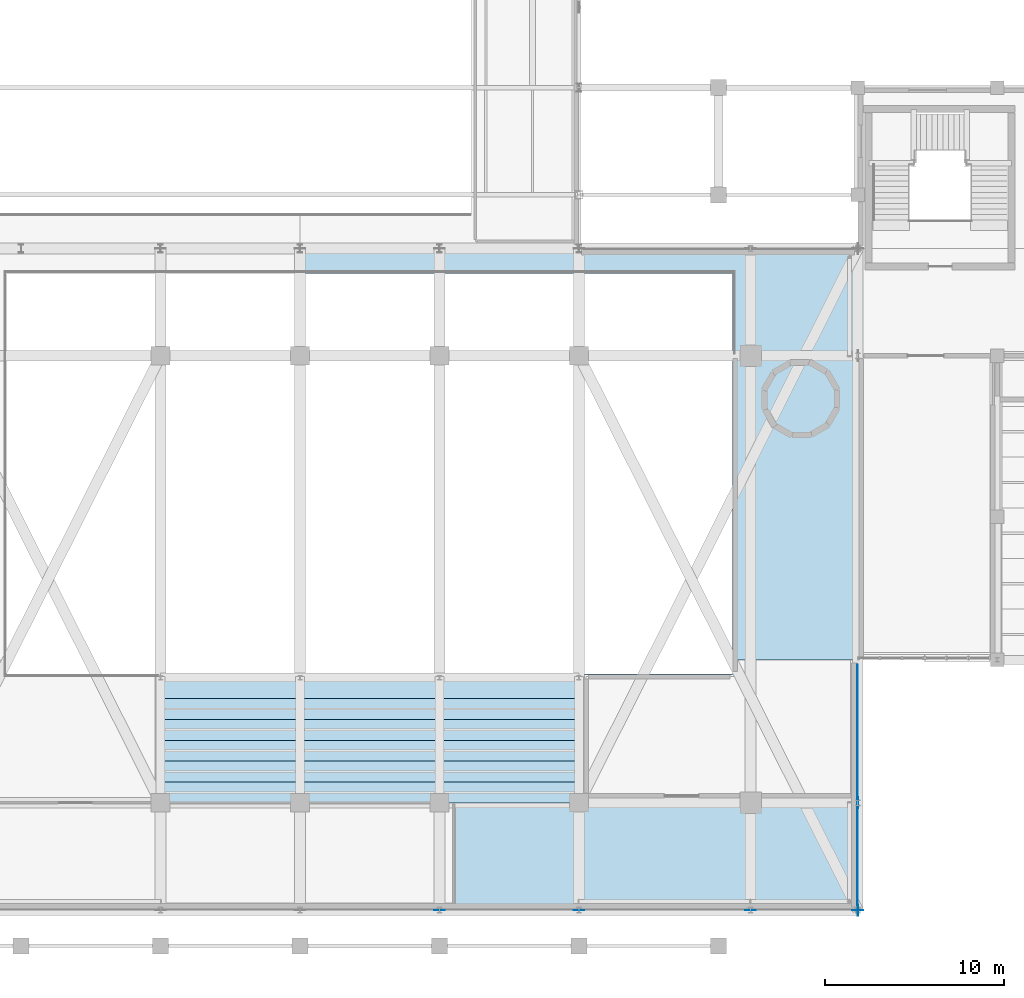
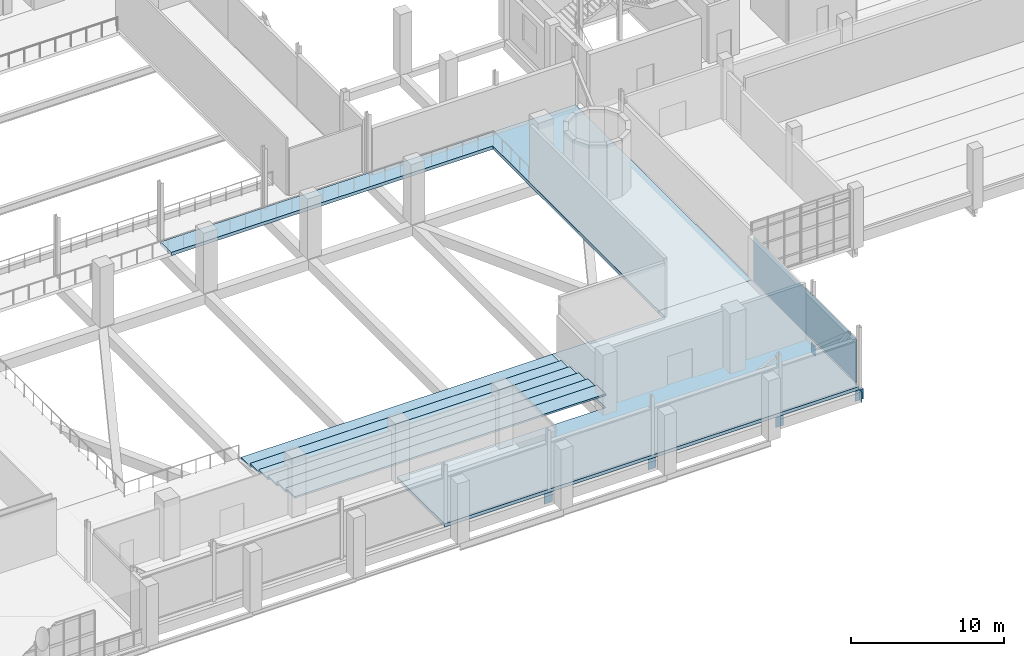
# One storey, part 68 of 100: 8 slabs, 7 plates.
"""IFC4 building model written with IfcOpenShell, lengths in metres."""

import ifcopenshell
import ifcopenshell.guid

model = None  # the IFC model being written
_history = None  # IfcOwnerHistory: only IFC2X3 demands one
_inside = {}  # id of a spatial element -> (the spatial element, [elements in it])
_under = {}  # id of a project, library or spatial element -> (it, [spatial elements below it])
_declared = {}  # id of a project -> (the project, [libraries it declares])
_typed = {}  # id of a type object -> (the type object, [elements of that type])
_made_of = {}  # id of a material, layer set ... -> (it, [elements and type objects made of it])


def new_model(schema):
    """Start an empty IFC model of exactly this schema.

    Asked for "IFC4X3", IfcOpenShell would pick the latest addendum, in which some entities
    have other attributes; the version numbers below select the first issue.
    IFC2X3 requires an IfcOwnerHistory on every rooted entity: one is made here for all.
    """
    global model, _history
    if schema == "IFC4X3":
        model = ifcopenshell.file(schema_version=(4, 3, 0, 0))
    else:
        model = ifcopenshell.file(schema=schema)
    _inside.clear()
    _under.clear()
    _declared.clear()
    _typed.clear()
    _made_of.clear()
    _history = None
    if model.schema == "IFC2X3":
        org = make("IfcOrganization", Name="unknown")
        user = make(
            "IfcPersonAndOrganization",
            ThePerson=make("IfcPerson", FamilyName="unknown"),
            TheOrganization=org,
        )
        app = make(
            "IfcApplication",
            ApplicationDeveloper=org,
            Version="unknown",
            ApplicationFullName="unknown",
            ApplicationIdentifier="unknown",
        )
        _history = make(
            "IfcOwnerHistory",
            OwningUser=user,
            OwningApplication=app,
            ChangeAction="ADDED",
            CreationDate=0,
        )
    return model


def make(cls, **values):
    """One entity of the class cls with the attributes given. An attribute that is None is left unset."""
    return model.create_entity(
        cls, **{name: value for name, value in values.items() if value is not None}
    )


def rooted(cls, **values):
    """An entity with a GlobalId (a new one), such as an element, a storey or a relation."""
    return make(cls, GlobalId=ifcopenshell.guid.new(), OwnerHistory=_history, **values)


def si_unit(unit_type, name, prefix=None):
    """IfcSIUnit, for example si_unit("LENGTHUNIT", "METRE", prefix="MILLI")."""
    return make("IfcSIUnit", UnitType=unit_type, Prefix=prefix, Name=name)


def derived_unit(unit_type, elements):
    """IfcDerivedUnit: a product of units, each with its exponent."""
    return make(
        "IfcDerivedUnit",
        Elements=[
            make("IfcDerivedUnitElement", Unit=unit, Exponent=power)
            for unit, power in elements
        ],
        UnitType=unit_type,
    )


def assignment(units):
    """IfcUnitAssignment: the units of a project."""
    return None if units is None else make("IfcUnitAssignment", Units=units)


def point(xyz):
    """IfcCartesianPoint."""
    return None if xyz is None else make("IfcCartesianPoint", Coordinates=xyz)


def direction(xyz):
    """IfcDirection."""
    return None if xyz is None else make("IfcDirection", DirectionRatios=xyz)


def frame(location, z_axis=None, x_axis=None):
    """IfcAxis2Placement3D, a coordinate frame: its origin and axes. An axis left out is left unset."""
    return make(
        "IfcAxis2Placement3D",
        Location=point(location),
        Axis=direction(z_axis),
        RefDirection=direction(x_axis),
    )


def frame_2d(location, x_axis=None):
    """IfcAxis2Placement2D, a coordinate frame in the plane: its origin and x axis."""
    return make(
        "IfcAxis2Placement2D", Location=point(location), RefDirection=direction(x_axis)
    )


def origin():
    """The frame at (0, 0, 0) with its axes left unset."""
    return frame((0.0, 0.0, 0.0))


def origin_2d():
    """The frame at (0, 0) in the plane with its x axis left unset."""
    return frame_2d((0.0, 0.0))


def place(relative_to, where):
    """IfcLocalPlacement: puts the frame where relative to a parent placement (None: the world)."""
    return make(
        "IfcLocalPlacement", PlacementRelTo=relative_to, RelativePlacement=where
    )


def context(
    kind, dimensions, precision=None, world=None, true_north=None, identifier=None
):
    """IfcGeometricRepresentationContext, for example the 3D "Model" context."""
    return make(
        "IfcGeometricRepresentationContext",
        ContextIdentifier=identifier,
        ContextType=kind,
        CoordinateSpaceDimension=dimensions,
        Precision=precision,
        WorldCoordinateSystem=world,
        TrueNorth=true_north,
    )


def subcontext(parent, identifier, kind, view, scale=None):
    """IfcGeometricRepresentationSubContext, for example "Body" below "Model"."""
    return make(
        "IfcGeometricRepresentationSubContext",
        ContextIdentifier=identifier,
        ContextType=kind,
        ParentContext=parent,
        TargetScale=scale,
        TargetView=view,
    )


def project(units=None, contexts=None):
    """IfcProject with its units and contexts."""
    return rooted(
        "IfcProject",
        Name="project",
        RepresentationContexts=contexts,
        UnitsInContext=assignment(units),
    )


def spatial(cls, under=None, at=None, **own):
    """A site, building, storey or space (cls), placed at a placement, below another one or the project."""
    s = rooted(cls, ObjectPlacement=at, **own)
    if under is not None:
        _under.setdefault(under.id(), (under, []))[1].append(s)
    return s


def polyline(points):
    """IfcPolyline through the points."""
    return make("IfcPolyline", Points=[point(p) for p in points])


def profile(cls, at=None, kind="AREA", **sizes):
    """A parametric profile (cls). Its sizes go by their IFC names, for example OverallWidth=200.0."""
    return make(cls, ProfileType=kind, Position=at, **sizes)


def rectangle(**sizes):
    """IfcRectangleProfileDef."""
    return profile("IfcRectangleProfileDef", **sizes)


def outline(outer, holes=None, kind="AREA"):
    """IfcArbitraryClosedProfileDef: a profile drawn as a closed curve; with holes, ...WithVoids."""
    if holes is None:
        return make("IfcArbitraryClosedProfileDef", ProfileType=kind, OuterCurve=outer)
    return make(
        "IfcArbitraryProfileDefWithVoids",
        ProfileType=kind,
        OuterCurve=outer,
        InnerCurves=holes,
    )


def extrude(swept, where, along, depth):
    """IfcExtrudedAreaSolid: the profile swept, set in the frame where, extruded along a direction by depth."""
    return make(
        "IfcExtrudedAreaSolid",
        SweptArea=swept,
        Position=where,
        ExtrudedDirection=direction(along),
        Depth=depth,
    )


def shape(context_of_items, identifier, shape_type, items):
    """IfcShapeRepresentation: the items that make up one representation, for example the "Body"."""
    return make(
        "IfcShapeRepresentation",
        ContextOfItems=context_of_items,
        RepresentationIdentifier=identifier,
        RepresentationType=shape_type,
        Items=items,
    )


def material(Name=None, Category=None):
    """IfcMaterial."""
    return make("IfcMaterial", Name=Name, Category=Category)


def layer(
    of_material, thickness, ventilated=None, Name=None, Category=None, Priority=None
):
    """IfcMaterialLayer: one layer of a wall or slab, of a material (None: an air gap)."""
    return make(
        "IfcMaterialLayer",
        Material=of_material,
        LayerThickness=thickness,
        IsVentilated=ventilated,
        Name=Name,
        Category=Category,
        Priority=Priority,
    )


def layer_set(layers, Name=None):
    """IfcMaterialLayerSet."""
    return make("IfcMaterialLayerSet", MaterialLayers=layers, LayerSetName=Name)


def made_of(thing, what):
    """Note that an element or type object is made of a material, layer set ...; save() writes the relation."""
    if what is not None:
        _made_of.setdefault(what.id(), (what, []))[1].append(thing)
    return thing


def type_object(cls, material=None, **own):
    """A type object (cls), such as IfcWallType, which elements share."""
    return made_of(rooted(cls, **own), material)


def element(
    cls,
    number,
    at=None,
    inside=None,
    cuts=None,
    type_object=None,
    material=None,
    context=None,
    identifier="Body",
    shape_type=None,
    held_by="IfcProductDefinitionShape",
    body=None,
    shapes=None,
    **own,
):
    """One element of the class cls, such as IfcWall. Its Tag is "e" and its number.

    at: its placement. inside: the storey or other place that contains it. cuts: it is an
    opening in that element (IfcRelVoidsElement). A single representation is given by context,
    identifier, shape_type and body (its items); several are given by shapes. held_by: the class
    of the entity that holds the representations. save() writes the other relations.
    """
    e = rooted(cls, Tag="e%d" % number, ObjectPlacement=at, **own)
    if body is not None:
        shapes = [shape(context, identifier, shape_type, body)]
    if shapes is not None:
        e.Representation = make(held_by, Representations=shapes)
    if inside is not None:
        _inside.setdefault(inside.id(), (inside, []))[1].append(e)
    if cuts is not None:
        rooted(
            "IfcRelVoidsElement", RelatingBuildingElement=cuts, RelatedOpeningElement=e
        )
    if type_object is not None:
        _typed.setdefault(type_object.id(), (type_object, []))[1].append(e)
    return made_of(e, material)


def aggregate(whole, parts):
    """IfcRelAggregates: a whole, such as a stair, and the parts it consists of."""
    return rooted("IfcRelAggregates", RelatingObject=whole, RelatedObjects=parts)


def save(model, path):
    """Write the relations noted so far, then the file.

    IfcRelAggregates (storeys below a building ...), IfcRelContainedInSpatialStructure (elements
    in a storey), IfcRelDefinesByType, IfcRelAssociatesMaterial and IfcRelDeclares: one each for
    every whole, place, type object, material and project.
    """
    for whole, parts in _under.values():
        aggregate(whole, parts)
    for where, things in _inside.values():
        rooted(
            "IfcRelContainedInSpatialStructure",
            RelatedElements=things,
            RelatingStructure=where,
        )
    for kind, things in _typed.values():
        rooted("IfcRelDefinesByType", RelatedObjects=things, RelatingType=kind)
    for what, things in _made_of.values():
        rooted("IfcRelAssociatesMaterial", RelatedObjects=things, RelatingMaterial=what)
    for by, libraries in _declared.values():
        rooted("IfcRelDeclares", RelatingContext=by, RelatedDefinitions=libraries)
    model.write(path)


model = new_model("IFC4")

# Units and contexts
model_context = context("Model", 3, precision=1e-05, world=origin(), true_north=direction((0.0, 1.0)))
body_context = subcontext(model_context, "Body", "Model", "MODEL_VIEW")
ifc_project = project(units=[si_unit("LENGTHUNIT", "METRE"), si_unit("AREAUNIT", "SQUARE_METRE"), si_unit("VOLUMEUNIT", "CUBIC_METRE"), si_unit("PLANEANGLEUNIT", "RADIAN"), si_unit("MASSUNIT", "GRAM", prefix="KILO"), derived_unit("THERMALTRANSMITTANCEUNIT", [(si_unit("POWERUNIT", "WATT"), 1), (si_unit("LENGTHUNIT", "METRE"), -2), (si_unit("THERMODYNAMICTEMPERATUREUNIT", "KELVIN"), -1)])], contexts=[model_context])

# Site, building, storey
site_placement = place(None, origin())
site = spatial("IfcSite", under=ifc_project, at=site_placement, CompositionType="ELEMENT")
building_placement = place(site_placement, origin())
building = spatial("IfcBuilding", under=site, at=building_placement, Name="Nallur Shell Playhouse", CompositionType="ELEMENT")
storey_placement = place(building_placement, frame((0.0, 0.0, 10.199951171875)))
storey = spatial("IfcBuildingStorey", under=building, at=storey_placement, Name="L03", CompositionType="ELEMENT", Elevation=10.199951171875)

# Plates
ifc_material_1 = material(Name="Steel E350", Category="steel")
ifc_layer_1 = layer(ifc_material_1, 0.02001953125)
ifc_layer_set_1 = layer_set([ifc_layer_1], Name="Steel E350")
plate_type_1 = type_object("IfcPlateType", Name="PT-ENDCAP-20", PredefinedType="SHEET", material=ifc_layer_set_1)
plate_1_placement = place(storey_placement, frame((118.610107421875, 16.0, -1.06005859375), z_axis=(0.0, 0.0, 1.0), x_axis=(1.0, 0.0, 0.0)))
element("IfcPlate", 1, at=plate_1_placement, inside=storey, type_object=plate_type_1, Name="Hollow end cap EC-TT-1-TC1", PredefinedType="SHEET", context=body_context, shape_type="SweptSolid", body=[
    extrude(rectangle(XDim=0.02001953125, YDim=0.60009765625, at=origin_2d()), origin(), (0.0, 0.0, 1.0), 0.800048828125),
])
for number, where, z_axis, x_axis, name in (
    (2, (95.199951171875, 9.989990234375, -1.06005859375), (0.0, 0.0, 1.0), (1.0, 0.0, 0.0), "Hollow end cap EC-TT-6-TC0"),
    (3, (103.0, 9.989990234375, -1.06005859375), (0.0, 0.0, 1.0), (1.0, 0.0, 0.0), "Hollow end cap EC-TT-7-TC0"),
    (4, (112.60009765625, 9.989990234375, -1.06005859375), (0.0, 0.0, 1.0), (1.0, 0.0, 0.0), "Hollow end cap EC-TT-8-TC0"),
):
    element("IfcPlate", number, at=place(storey_placement, frame(where, z_axis=z_axis, x_axis=x_axis)), inside=storey, type_object=plate_type_1, Name=name, PredefinedType="SHEET", context=body_context, shape_type="SweptSolid", body=[
        extrude(rectangle(XDim=0.60009765625, YDim=0.02001953125, at=origin_2d()), origin(), (0.0, 0.0, 1.0), 0.800048828125),
    ])
plate_2_placement = place(storey_placement, frame((118.610107421875, 10.0, -1.06982421875), z_axis=(0.0, 0.0, 1.0), x_axis=(1.0, 0.0, 0.0)))
element("IfcPlate", 5, at=plate_2_placement, inside=storey, type_object=plate_type_1, Name="Hollow end cap EC-GB-L03-SB", PredefinedType="SHEET", context=body_context, shape_type="SweptSolid", body=[
    extrude(rectangle(XDim=0.02001953125, YDim=0.6201171875, at=origin_2d()), origin(), (0.0, 0.0, 1.0), 0.820068359375),
])
plate_3_placement = place(storey_placement, frame((118.60009765625, 9.989990234375, -1.06982421875), z_axis=(0.0, 0.0, 1.0), x_axis=(1.0, 0.0, 0.0)))
element("IfcPlate", 6, at=plate_3_placement, inside=storey, type_object=plate_type_1, Name="Hollow end cap EC-GB-L03-EA", PredefinedType="SHEET", context=body_context, shape_type="SweptSolid", body=[
    extrude(rectangle(XDim=0.6201171875, YDim=0.02001953125, at=origin_2d()), origin(), (0.0, 0.0, 1.0), 0.820068359375),
])
ifc_material_2 = material(Name="Gold-Anodised Perforated Aluminium Acoustic Cladding", Category="aluminium")
ifc_layer_2 = layer(ifc_material_2, 0.006103515625)
ifc_layer_set_2 = layer_set([ifc_layer_2], Name="Gold-Anodised Perforated Aluminium Acoustic Cladding")
plate_type_2 = type_object("IfcPlateType", Name="PT-GOLD-01", PredefinedType="SHEET", material=ifc_layer_set_2)
plate_4_placement = place(storey_placement, frame((118.577880859375, 17.0, 0.10009765625), z_axis=(0.0, 0.0, 1.0), x_axis=(0.0, -1.0, 0.0)))
element("IfcPlate", 7, at=plate_4_placement, inside=storey, type_object=plate_type_2, Name="Gold-anodised perforated aluminium cladding GC-007", PredefinedType="SHEET", context=body_context, shape_type="SweptSolid", body=[
    extrude(rectangle(XDim=13.429931640625, YDim=0.013916015625, at=origin_2d()), origin(), (0.0, 0.0, 1.0), 3.52490234375),
])

# Slabs
ifc_material_3 = material(Name="Concrete M30", Category="concrete")
ifc_layer_3 = layer(ifc_material_3, 0.260009765625)
ifc_layer_set_3 = layer_set([ifc_layer_3], Name="Concrete M30")
slab_type_1 = type_object("IfcSlabType", Name="SL-FLOOR-260", PredefinedType="FLOOR", material=ifc_layer_set_3)
slab_1_placement = place(storey_placement, frame((0.0, 0.0, -0.260009765625)))
element("IfcSlab", 8, at=slab_1_placement, inside=storey, type_object=slab_type_1, Name="L03 structural floor slab panel 15", PredefinedType="FLOOR", context=body_context, shape_type="SweptSolid", body=[
    extrude(outline(polyline([(118.60009765625, 10.0), (87.39990234375, 10.0), (87.39990234375, 16.199951171875), (103.10009765625, 16.199951171875), (103.10009765625, 23.199951171875), (111.60009765625, 23.199951171875), (111.60009765625, 24.0), (118.60009765625, 24.0), (118.60009765625, 10.0)])), origin(), (0.0, 0.0, 1.0), 0.260009765625),
])
slab_2_placement = place(storey_placement, frame((0.0, 0.0, -0.260009765625)))
element("IfcSlab", 9, at=slab_2_placement, inside=storey, type_object=slab_type_1, Name="L03 structural floor slab panel 16", PredefinedType="FLOOR", context=body_context, shape_type="SweptSolid", body=[
    extrude(outline(polyline([(118.60009765625, 47.0), (118.60009765625, 24.0), (111.60009765625, 24.0), (111.60009765625, 45.60009765625), (87.39990234375, 45.60009765625), (87.39990234375, 47.0), (103.0, 47.0), (118.60009765625, 47.0)])), origin(), (0.0, 0.0, 1.0), 0.260009765625),
])
ifc_material_4 = material(Name="Precast concrete M40", Category="concrete")
ifc_layer_4 = layer(ifc_material_4, 0.139892578125)
ifc_layer_set_4 = layer_set([ifc_layer_4], Name="Precast concrete M40")
slab_type_2 = type_object("IfcSlabType", Name="SL-TIER-140", PredefinedType="USERDEFINED", material=ifc_layer_set_4)
slab_3_placement = place(storey_placement, frame((0.0, 0.0, 0.010009765625)))
element("IfcSlab", 10, at=slab_3_placement, inside=storey, type_object=slab_type_2, Name="Stand dress seating tier row 1", ObjectType="SEATING TIER", PredefinedType="USERDEFINED", context=body_context, shape_type="SweptSolid", body=[
    extrude(outline(polyline([(79.60009765625, 23.0), (103.0, 23.0), (103.0, 21.833251953125), (79.60009765625, 21.833251953125), (79.60009765625, 23.0)])), origin(), (0.0, 0.0, 1.0), 0.14013671875),
])
slab_4_placement = place(storey_placement, frame((0.0, 0.0, 0.22998046875)))
element("IfcSlab", 11, at=slab_4_placement, inside=storey, type_object=slab_type_2, Name="Stand dress seating tier row 2", ObjectType="SEATING TIER", PredefinedType="USERDEFINED", context=body_context, shape_type="SweptSolid", body=[
    extrude(outline(polyline([(79.60009765625, 21.833251953125), (103.0, 21.833251953125), (103.0, 20.666748046875), (79.60009765625, 20.666748046875), (79.60009765625, 21.833251953125)])), origin(), (0.0, 0.0, 1.0), 0.14013671875),
])
slab_5_placement = place(storey_placement, frame((0.0, 0.0, 0.449951171875)))
element("IfcSlab", 12, at=slab_5_placement, inside=storey, type_object=slab_type_2, Name="Stand dress seating tier row 3", ObjectType="SEATING TIER", PredefinedType="USERDEFINED", context=body_context, shape_type="SweptSolid", body=[
    extrude(outline(polyline([(79.60009765625, 20.666748046875), (103.0, 20.666748046875), (103.0, 19.5), (79.60009765625, 19.5), (79.60009765625, 20.666748046875)])), origin(), (0.0, 0.0, 1.0), 0.14013671875),
])
slab_6_placement = place(storey_placement, frame((0.0, 0.0, 0.670166015625)))
element("IfcSlab", 13, at=slab_6_placement, inside=storey, type_object=slab_type_2, Name="Stand dress seating tier row 4", ObjectType="SEATING TIER", PredefinedType="USERDEFINED", context=body_context, shape_type="SweptSolid", body=[
    extrude(outline(polyline([(79.60009765625, 19.5), (103.0, 19.5), (103.0, 18.333251953125), (79.60009765625, 18.333251953125), (79.60009765625, 19.5)])), origin(), (0.0, 0.0, 1.0), 0.139892578125),
])
slab_7_placement = place(storey_placement, frame((0.0, 0.0, 0.89013671875)))
element("IfcSlab", 14, at=slab_7_placement, inside=storey, type_object=slab_type_2, Name="Stand dress seating tier row 5", ObjectType="SEATING TIER", PredefinedType="USERDEFINED", context=body_context, shape_type="SweptSolid", body=[
    extrude(outline(polyline([(79.60009765625, 18.333251953125), (103.0, 18.333251953125), (103.0, 17.166748046875), (79.60009765625, 17.166748046875), (79.60009765625, 18.333251953125)])), origin(), (0.0, 0.0, 1.0), 0.139892578125),
])
slab_8_placement = place(storey_placement, frame((0.0, 0.0, 1.110107421875)))
element("IfcSlab", 15, at=slab_8_placement, inside=storey, type_object=slab_type_2, Name="Stand dress seating tier row 6", ObjectType="SEATING TIER", PredefinedType="USERDEFINED", context=body_context, shape_type="SweptSolid", body=[
    extrude(outline(polyline([(79.60009765625, 17.166748046875), (103.0, 17.166748046875), (103.0, 16.0), (79.60009765625, 16.0), (79.60009765625, 17.166748046875)])), origin(), (0.0, 0.0, 1.0), 0.139892578125),
])

save(model, "model.ifc")
